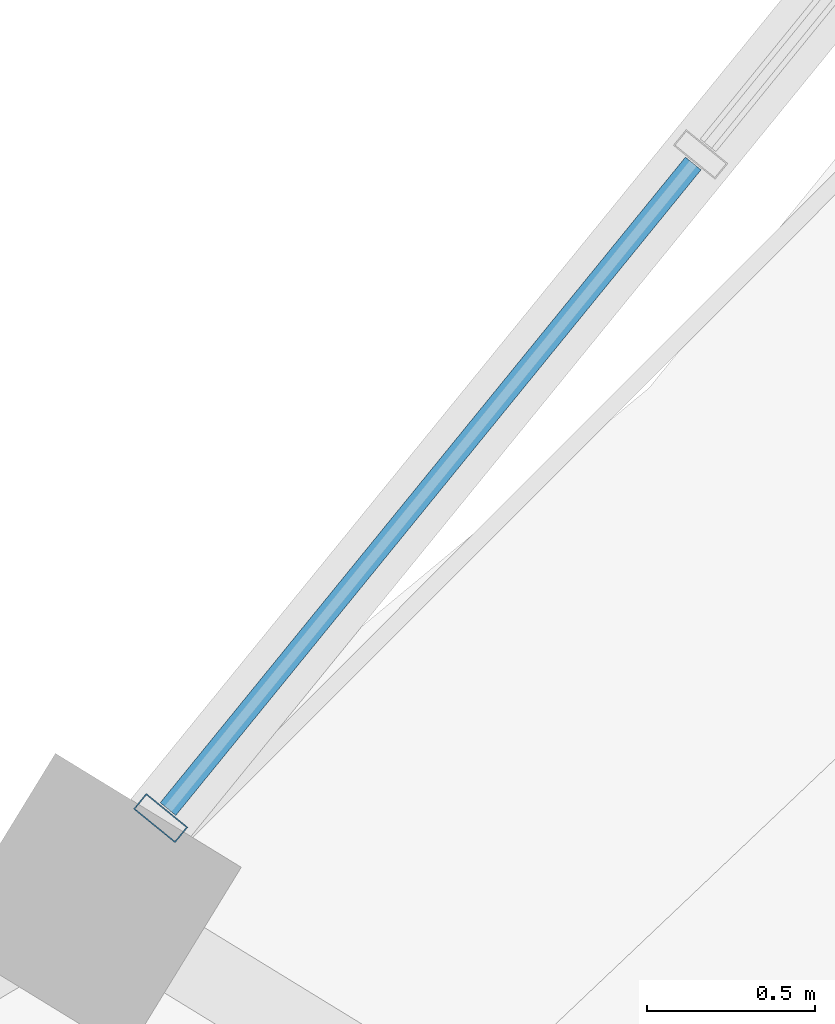
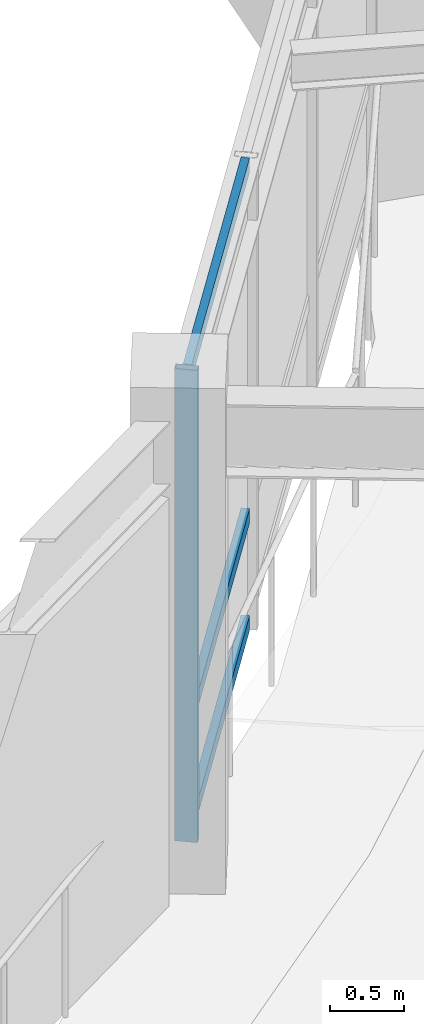
# One storey, part 60 of 138: 4 members, 1 element without a shape of its own.
"""IFC4 building model written with IfcOpenShell, lengths in metres."""

from ifc_helpers import new_model, si_unit, direction, frame, origin, origin_2d, place, context, subcontext, project, spatial, hollow_rectangle, extrude, material, material_profile, profile_set, type_object, element, aggregate, save


model = new_model("IFC4")

# Units and contexts
model_context = context("Model", 3, precision=1e-05, world=origin(), true_north=direction((0.0, 1.0)))
body_context = subcontext(model_context, "Body", "Model", "MODEL_VIEW")
ifc_project = project(units=[si_unit("LENGTHUNIT", "METRE"), si_unit("AREAUNIT", "SQUARE_METRE"), si_unit("VOLUMEUNIT", "CUBIC_METRE"), si_unit("PLANEANGLEUNIT", "RADIAN"), si_unit("MASSUNIT", "GRAM", prefix="KILO"), si_unit("THERMODYNAMICTEMPERATUREUNIT", "KELVIN"), si_unit("POWERUNIT", "WATT")], contexts=[model_context])

# Site, building, storey
site_placement = place(None, origin())
site = spatial("IfcSite", under=ifc_project, at=site_placement, CompositionType="ELEMENT")
building_placement = place(site_placement, origin())
building = spatial("IfcBuilding", under=site, at=building_placement, Name="Darbajah Civic Hall", CompositionType="ELEMENT")
storey_placement = place(building_placement, frame((0.0, 0.0, 9.60009765625)))
storey = spatial("IfcBuildingStorey", under=building, at=storey_placement, Name="L02", CompositionType="ELEMENT", Elevation=9.60009765625)

# Curtain wall, members
ifc_material_1 = material(Name="Anodised Bronze Aluminium and Low-E Glazing", Category="aluminium")
curtain_wall_type = type_object("IfcCurtainWallType", Name="Unitised Curtain Wall CW-52 7700x3900", PredefinedType="USERDEFINED", material=ifc_material_1)
curtain_wall_placement = place(storey_placement, origin())
curtain_wall = element("IfcCurtainWall", 1, at=curtain_wall_placement, inside=storey, type_object=curtain_wall_type, Name="L02 unitised curtain wall CW-V1I-L02-18", ObjectType="UNITISED CURTAIN WALL", PredefinedType="USERDEFINED")
ifc_material_2 = material(Name="Anodised Bronze Aluminium", Category="aluminium")
ifc_material_profile_1 = material_profile(ifc_material_2, hollow_rectangle(XDim=0.06005859375, YDim=0.159912109375, WallThickness=0.00341796875, at=origin_2d()), Name="ALU MULLION 60x160")
ifc_profile_set_1 = profile_set([ifc_material_profile_1], Name="Anodised Bronze Aluminium")
member_type_1 = type_object("IfcMemberType", Name="ALU MULLION 60x160", PredefinedType="MULLION", material=ifc_profile_set_1)
member_1_placement = place(storey_placement, frame((126.652099609375, 78.402099609375, 0.0), z_axis=(0.0, 0.0, 1.0), x_axis=(0.63108205791, 0.775716079622, 0.0)))
member_1 = element("IfcMember", 2, at=member_1_placement, type_object=member_type_1, Name="CW-V1I-L02-18 mullion 1", PredefinedType="MULLION", context=body_context, shape_type="SweptSolid", body=[
    extrude(hollow_rectangle(XDim=0.06005859375, YDim=0.159912109375, WallThickness=0.00341796875, at=origin_2d()), origin(), (0.0, 0.0, 1.0), 3.919921875),
])
ifc_material_profile_2 = material_profile(ifc_material_2, hollow_rectangle(XDim=0.06005859375, YDim=0.1201171875, WallThickness=0.003173828125, at=origin_2d()), Name="ALU TRANSOM 60x120")
ifc_profile_set_2 = profile_set([ifc_material_profile_2], Name="Anodised Bronze Aluminium")
member_type_2 = type_object("IfcMemberType", Name="ALU TRANSOM 60x120", PredefinedType="USERDEFINED", material=ifc_profile_set_2)
member_2_placement = place(storey_placement, frame((126.674072265625, 78.42919921875, 0.059814453125), z_axis=(0.631103518384, 0.775698620009, 0.0), x_axis=(-0.775698620009, 0.631103518384, 0.0)))
member_2 = element("IfcMember", 3, at=member_2_placement, type_object=member_type_2, Name="CW-V1I-L02-18 transom 1.1", ObjectType="TRANSOM", PredefinedType="USERDEFINED", context=body_context, shape_type="SweptSolid", body=[
    extrude(hollow_rectangle(XDim=0.06005859375, YDim=0.1201171875, WallThickness=0.003173828125, at=origin_2d()), origin(), (0.0, 0.0, 1.0), 2.48193359375),
])
member_3_placement = place(storey_placement, frame((126.674072265625, 78.42919921875, 0.949951171875), z_axis=(0.631103518384, 0.775698620009, 0.0), x_axis=(-0.775698620009, 0.631103518384, 0.0)))
member_3 = element("IfcMember", 4, at=member_3_placement, type_object=member_type_2, Name="CW-V1I-L02-18 transom 1.2", ObjectType="TRANSOM", PredefinedType="USERDEFINED", context=body_context, shape_type="SweptSolid", body=[
    extrude(hollow_rectangle(XDim=0.06005859375, YDim=0.1201171875, WallThickness=0.003173828125, at=origin_2d()), origin(), (0.0, 0.0, 1.0), 2.48193359375),
])
member_4_placement = place(storey_placement, frame((126.674072265625, 78.42919921875, 3.85986328125), z_axis=(0.631103518384, 0.775698620009, 0.0), x_axis=(-0.775698620009, 0.631103518384, 0.0)))
member_4 = element("IfcMember", 5, at=member_4_placement, type_object=member_type_2, Name="CW-V1I-L02-18 transom 1.3", ObjectType="TRANSOM", PredefinedType="USERDEFINED", context=body_context, shape_type="SweptSolid", body=[
    extrude(hollow_rectangle(XDim=0.06005859375, YDim=0.1201171875, WallThickness=0.003173828125, at=origin_2d()), origin(), (0.0, 0.0, 1.0), 2.48193359375),
])
aggregate(curtain_wall, [member_1, member_2, member_3, member_4])

save(model, "model.ifc")
